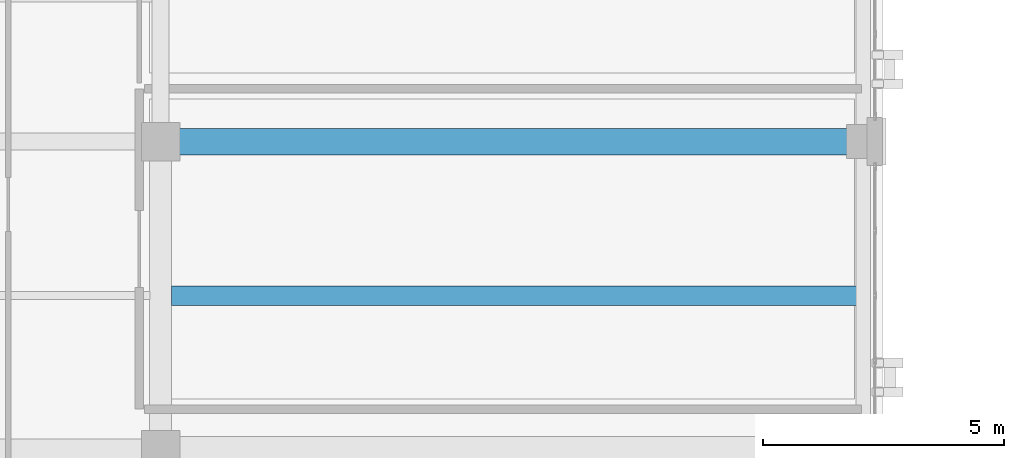
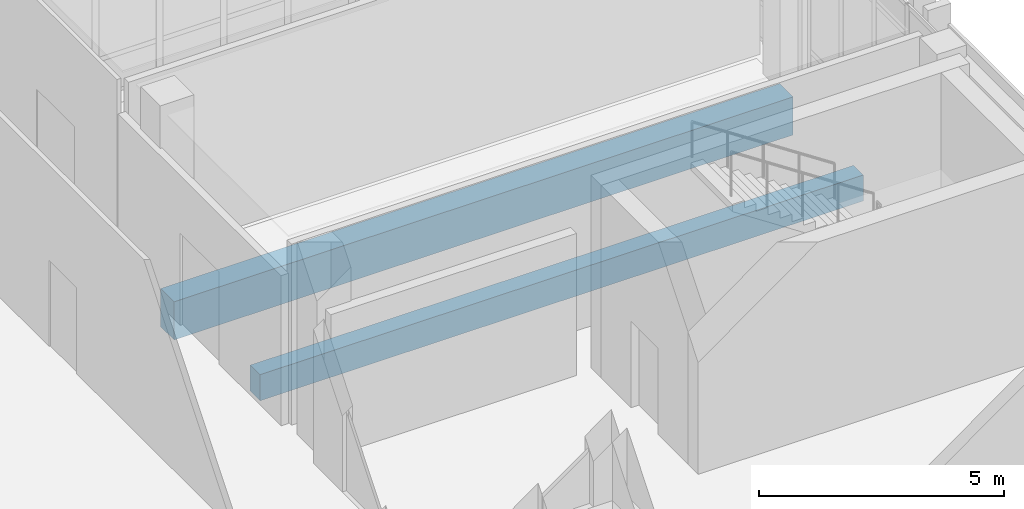
# One storey, part 106 of 189: 2 beams.
"""IFC4 building model written with IfcOpenShell, lengths in metres."""

from ifc_helpers import new_model, si_unit, direction, frame, origin, origin_2d, place, context, subcontext, project, spatial, rectangle, extrude, material, material_profile, profile_set, type_object, element, save


model = new_model("IFC4")

# Units and contexts
model_context = context("Model", 3, precision=1e-05, world=origin(), true_north=direction((0.0, 1.0)))
body_context = subcontext(model_context, "Body", "Model", "MODEL_VIEW")
ifc_project = project(units=[si_unit("LENGTHUNIT", "METRE"), si_unit("AREAUNIT", "SQUARE_METRE"), si_unit("VOLUMEUNIT", "CUBIC_METRE"), si_unit("PLANEANGLEUNIT", "RADIAN"), si_unit("MASSUNIT", "GRAM", prefix="KILO")], contexts=[model_context])

# Site, building, storey
site_placement = place(None, origin())
site = spatial("IfcSite", under=ifc_project, at=site_placement, CompositionType="ELEMENT")
building_placement = place(site_placement, origin())
building = spatial("IfcBuilding", under=site, at=building_placement, Name="Qalavern Law Courts", CompositionType="ELEMENT")
storey_placement = place(building_placement, frame((0.0, 0.0, 5.39990234375)))
storey = spatial("IfcBuildingStorey", under=building, at=storey_placement, Name="L01", CompositionType="ELEMENT", Elevation=5.39990234375)

# Beams
ifc_material_1 = material(Name="Concrete C40/50", Category="concrete")
ifc_material_profile_1 = material_profile(ifc_material_1, rectangle(XDim=0.550048828125, YDim=0.949951171875, at=origin_2d()), Name="RC 550x950")
ifc_profile_set_1 = profile_set([ifc_material_profile_1], Name="Concrete C40/50")
beam_type_1 = type_object("IfcBeamType", Name="STR-BM-RC550x950", PredefinedType="BEAM", material=ifc_profile_set_1)
beam_1_placement = place(storey_placement, frame((91.800048828125, 79.199951171875, -0.77490234375), z_axis=(1.0, 0.0, 0.0), x_axis=(0.0, 1.0, 0.0)))
element("IfcBeam", 1, at=beam_1_placement, inside=storey, type_object=beam_type_1, Name="V4 X-beam 6-2 L01", PredefinedType="BEAM", context=body_context, shape_type="SweptSolid", body=[
    extrude(rectangle(XDim=0.550048828125, YDim=0.949951171875, at=origin_2d()), origin(), (0.0, 0.0, 1.0), 14.599853515625),
])
ifc_material_2 = material(Name="Concrete C35/45", Category="concrete")
ifc_material_profile_2 = material_profile(ifc_material_2, rectangle(XDim=0.39990234375, YDim=0.64990234375, at=origin_2d()), Name="RC 400x650")
ifc_profile_set_2 = profile_set([ifc_material_profile_2], Name="Concrete C35/45")
beam_type_2 = type_object("IfcBeamType", Name="STR-JST-RC400x650", PredefinedType="JOIST", material=ifc_profile_set_2)
beam_2_placement = place(storey_placement, frame((92.02294921875, 76.0, -0.625), z_axis=(1.0, 0.0, 0.0), x_axis=(0.0, 1.0, 0.0)))
element("IfcBeam", 2, at=beam_2_placement, inside=storey, type_object=beam_type_2, Name="V4 secondary joist 2.5.1 L01", PredefinedType="JOIST", context=body_context, shape_type="SweptSolid", body=[
    extrude(rectangle(XDim=0.39990234375, YDim=0.64990234375, at=origin_2d()), origin(), (0.0, 0.0, 1.0), 14.22900390625),
])

save(model, "model.ifc")
